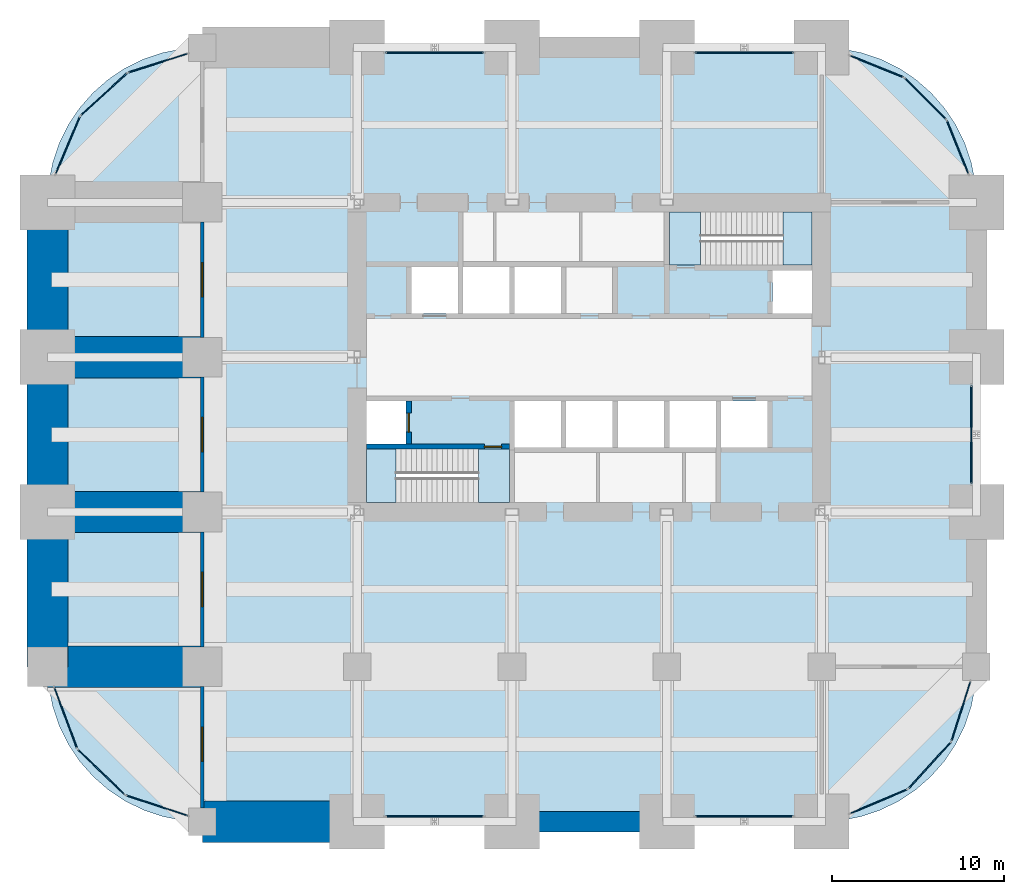
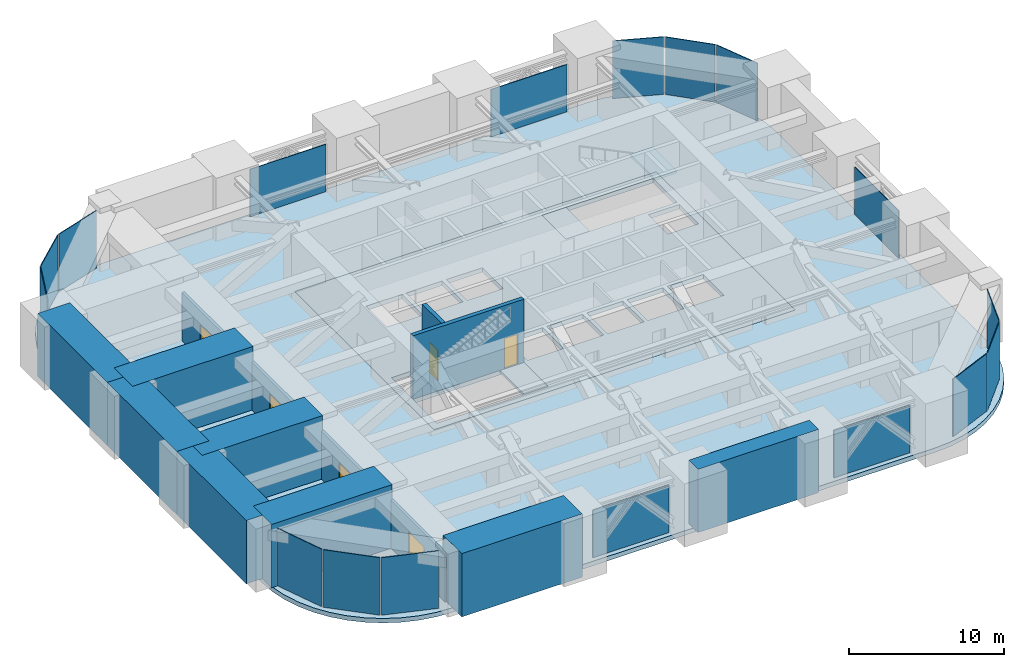
# One storey, part 29 of 32: 17 plates, 14 walls, 6 doors, 6 slabs, 6 openings, 19 elements without a shape of their own.
"""IFC4 building model written with IfcOpenShell, lengths in metres."""

from ifc_helpers import new_model, si_unit, direction, frame, frame_2d, origin, origin_2d, place, context, subcontext, project, spatial, polyline, rectangle, outline, extrude, material, layer, layer_set, type_object, element, fill, aggregate, save


model = new_model("IFC4")

# Units and contexts
model_context = context("Model", 3, precision=1e-05, world=origin(), true_north=direction((0.0, 1.0)))
body_context = subcontext(model_context, "Body", "Model", "MODEL_VIEW")
ifc_project = project(units=[si_unit("LENGTHUNIT", "METRE"), si_unit("AREAUNIT", "SQUARE_METRE"), si_unit("VOLUMEUNIT", "CUBIC_METRE"), si_unit("PLANEANGLEUNIT", "RADIAN"), si_unit("MASSUNIT", "GRAM", prefix="KILO")], contexts=[model_context])

# Site, building, storey
site_placement = place(None, origin())
site = spatial("IfcSite", under=ifc_project, at=site_placement, CompositionType="ELEMENT")
building_placement = place(site_placement, origin())
building = spatial("IfcBuilding", under=site, at=building_placement, Name="Zorevar Civic Tower", CompositionType="ELEMENT")
storey_placement = place(building_placement, frame((0.0, 0.0, 234.39990234375)))
storey = spatial("IfcBuildingStorey", under=building, at=storey_placement, Name="L57", CompositionType="ELEMENT", Elevation=234.39990234375)

# Curtain wall, plate
ifc_material_1 = material(Name="Black aluminium louvres", Category="aluminium")
curtain_wall_type = type_object("IfcCurtainWallType", Name="Louvred curtain wall CW6 refuge", PredefinedType="NOTDEFINED", material=ifc_material_1)
curtain_wall_1_placement = place(storey_placement, origin())
curtain_wall_1 = element("IfcCurtainWall", 1, at=curtain_wall_1_placement, inside=storey, type_object=curtain_wall_type, Name="CW6 L57", PredefinedType="NOTDEFINED")
ifc_material_2 = material(Name="Black aluminium louvre blades", Category="aluminium")
ifc_layer_1 = layer(ifc_material_2, 0.06005859375)
ifc_layer_set_1 = layer_set([ifc_layer_1], Name="CW6 panel 60")
plate_type = type_object("IfcPlateType", Name="CW6 panel 60", PredefinedType="CURTAIN_PANEL", material=ifc_layer_set_1)
plate_1_placement = place(storey_placement, frame((22.5, 0.300048828125, 0.06005859375), z_axis=(0.0, 0.0, 1.0), x_axis=(1.0, 0.0, 0.0)))
plate_1 = element("IfcPlate", 2, at=plate_1_placement, type_object=plate_type, Name="CW6 panel 1.1", PredefinedType="CURTAIN_PANEL", context=body_context, shape_type="SweptSolid", body=[
    extrude(rectangle(XDim=5.679931640625, YDim=0.06005859375, at=origin_2d()), origin(), (0.0, 0.0, 1.0), 3.739990234375),
])
aggregate(curtain_wall_1, [plate_1])

curtain_wall_2_placement = place(storey_placement, origin())
curtain_wall_2 = element("IfcCurtainWall", 3, at=curtain_wall_2_placement, inside=storey, type_object=curtain_wall_type, Name="CW6 L57", PredefinedType="NOTDEFINED")
plate_2_placement = place(storey_placement, frame((22.5, 44.699951171875, 0.06005859375), z_axis=(0.0, 0.0, 1.0), x_axis=(1.0, 0.0, 0.0)))
plate_2 = element("IfcPlate", 4, at=plate_2_placement, type_object=plate_type, Name="CW6 panel 1.1", PredefinedType="CURTAIN_PANEL", context=body_context, shape_type="SweptSolid", body=[
    extrude(rectangle(XDim=5.679931640625, YDim=0.06005859375, at=origin_2d()), origin(), (0.0, 0.0, 1.0), 3.739990234375),
])
aggregate(curtain_wall_2, [plate_2])

curtain_wall_3_placement = place(storey_placement, origin())
curtain_wall_3 = element("IfcCurtainWall", 5, at=curtain_wall_3_placement, inside=storey, type_object=curtain_wall_type, Name="CW6 L57", PredefinedType="NOTDEFINED")
plate_3_placement = place(storey_placement, frame((40.5, 0.300048828125, 0.06005859375), z_axis=(0.0, 0.0, 1.0), x_axis=(1.0, 0.0, 0.0)))
plate_3 = element("IfcPlate", 6, at=plate_3_placement, type_object=plate_type, Name="CW6 panel 1.1", PredefinedType="CURTAIN_PANEL", context=body_context, shape_type="SweptSolid", body=[
    extrude(rectangle(XDim=5.679931640625, YDim=0.06005859375, at=origin_2d()), origin(), (0.0, 0.0, 1.0), 3.739990234375),
])
aggregate(curtain_wall_3, [plate_3])

curtain_wall_4_placement = place(storey_placement, origin())
curtain_wall_4 = element("IfcCurtainWall", 7, at=curtain_wall_4_placement, inside=storey, type_object=curtain_wall_type, Name="CW6 L57", PredefinedType="NOTDEFINED")
plate_4_placement = place(storey_placement, frame((40.5, 44.699951171875, 0.06005859375), z_axis=(0.0, 0.0, 1.0), x_axis=(1.0, 0.0, 0.0)))
plate_4 = element("IfcPlate", 8, at=plate_4_placement, type_object=plate_type, Name="CW6 panel 1.1", PredefinedType="CURTAIN_PANEL", context=body_context, shape_type="SweptSolid", body=[
    extrude(rectangle(XDim=5.679931640625, YDim=0.06005859375, at=origin_2d()), origin(), (0.0, 0.0, 1.0), 3.739990234375),
])
aggregate(curtain_wall_4, [plate_4])

curtain_wall_5_placement = place(storey_placement, origin())
curtain_wall_5 = element("IfcCurtainWall", 9, at=curtain_wall_5_placement, inside=storey, type_object=curtain_wall_type, Name="CW6 L57", PredefinedType="NOTDEFINED")
plate_5_placement = place(storey_placement, frame((53.699951171875, 22.5, 0.06005859375), z_axis=(0.0, 0.0, 1.0), x_axis=(0.0, 1.0, 0.0)))
plate_5 = element("IfcPlate", 10, at=plate_5_placement, type_object=plate_type, Name="CW6 panel 1.1", PredefinedType="CURTAIN_PANEL", context=body_context, shape_type="SweptSolid", body=[
    extrude(rectangle(XDim=5.679931640625, YDim=0.06005859375, at=origin_2d()), origin(), (0.0, 0.0, 1.0), 3.739990234375),
])
aggregate(curtain_wall_5, [plate_5])

curtain_wall_6_placement = place(storey_placement, origin())
curtain_wall_6 = element("IfcCurtainWall", 11, at=curtain_wall_6_placement, inside=storey, type_object=curtain_wall_type, Name="CW6 L57", PredefinedType="NOTDEFINED")
plate_6_placement = place(storey_placement, frame((48.31396484375, 1.17431640625, 0.06005859375), z_axis=(0.0, 0.0, 1.0), x_axis=(0.920829589054, 0.389965213734, 0.0)))
plate_6 = element("IfcPlate", 12, at=plate_6_placement, type_object=plate_type, Name="CW6 panel 1.1", PredefinedType="CURTAIN_PANEL", context=body_context, shape_type="SweptSolid", body=[
    extrude(rectangle(XDim=3.602783203125, YDim=0.06005859375, at=origin_2d()), origin(), (0.0, 0.0, 1.0), 4.5400390625),
])
aggregate(curtain_wall_6, [plate_6])

curtain_wall_7_placement = place(storey_placement, origin())
curtain_wall_7 = element("IfcCurtainWall", 13, at=curtain_wall_7_placement, inside=storey, type_object=curtain_wall_type, Name="CW6 L57", PredefinedType="NOTDEFINED")
plate_7_placement = place(storey_placement, frame((51.28173828125, 3.276123046875, 0.06005859375), z_axis=(0.0, 0.0, 1.0), x_axis=(0.673532686252, 0.739157439623, 0.0)))
plate_7 = element("IfcPlate", 14, at=plate_7_placement, type_object=plate_type, Name="CW6 panel 1.1", PredefinedType="CURTAIN_PANEL", context=body_context, shape_type="SweptSolid", body=[
    extrude(rectangle(XDim=3.602783203125, YDim=0.06005859375, at=origin_2d()), origin(), (0.0, 0.0, 1.0), 4.5400390625),
])
aggregate(curtain_wall_7, [plate_7])

curtain_wall_8_placement = place(storey_placement, origin())
curtain_wall_8 = element("IfcCurtainWall", 15, at=curtain_wall_8_placement, inside=storey, type_object=curtain_wall_type, Name="CW6 L57", PredefinedType="NOTDEFINED")
plate_8_placement = place(storey_placement, frame((53.099365234375, 6.426025390625, 0.06005859375), z_axis=(0.0, 0.0, 1.0), x_axis=(0.302858738154, 0.953035458272, 0.0)))
plate_8 = element("IfcPlate", 16, at=plate_8_placement, type_object=plate_type, Name="CW6 panel 1.1", PredefinedType="CURTAIN_PANEL", context=body_context, shape_type="SweptSolid", body=[
    extrude(rectangle(XDim=3.602783203125, YDim=0.06005859375, at=origin_2d()), origin(), (0.0, 0.0, 1.0), 4.5400390625),
])
aggregate(curtain_wall_8, [plate_8])

curtain_wall_9_placement = place(storey_placement, origin())
curtain_wall_9 = element("IfcCurtainWall", 17, at=curtain_wall_9_placement, inside=storey, type_object=curtain_wall_type, Name="CW6 L57", PredefinedType="NOTDEFINED")
plate_9_placement = place(storey_placement, frame((52.90185546875, 39.202880859375, 0.06005859375), z_axis=(0.0, 0.0, 1.0), x_axis=(-0.375650166453, 0.926761540227, 0.0)))
plate_9 = element("IfcPlate", 18, at=plate_9_placement, type_object=plate_type, Name="CW6 panel 1.1", PredefinedType="CURTAIN_PANEL", context=body_context, shape_type="SweptSolid", body=[
    extrude(rectangle(XDim=3.33935546875, YDim=0.06005859375, at=origin_2d()), origin(), (0.0, 0.0, 1.0), 4.5400390625),
])
aggregate(curtain_wall_9, [plate_9])

curtain_wall_10_placement = place(storey_placement, origin())
curtain_wall_10 = element("IfcCurtainWall", 19, at=curtain_wall_10_placement, inside=storey, type_object=curtain_wall_type, Name="CW6 L57", PredefinedType="NOTDEFINED")
plate_10_placement = place(storey_placement, frame((51.029052734375, 42.029052734375, 0.06005859375), z_axis=(0.0, 0.0, 1.0), x_axis=(-0.707106781187, 0.707106781187, 0.0)))
plate_10 = element("IfcPlate", 20, at=plate_10_placement, type_object=plate_type, Name="CW6 panel 1.1", PredefinedType="CURTAIN_PANEL", context=body_context, shape_type="SweptSolid", body=[
    extrude(rectangle(XDim=3.33935546875, YDim=0.06005859375, at=origin_2d()), origin(), (0.0, 0.0, 1.0), 4.5400390625),
])
aggregate(curtain_wall_10, [plate_10])

curtain_wall_11_placement = place(storey_placement, origin())
curtain_wall_11 = element("IfcCurtainWall", 21, at=curtain_wall_11_placement, inside=storey, type_object=curtain_wall_type, Name="CW6 L57", PredefinedType="NOTDEFINED")
plate_11_placement = place(storey_placement, frame((48.202880859375, 43.90185546875, 0.06005859375), z_axis=(0.0, 0.0, 1.0), x_axis=(-0.926761540227, 0.375650166453, 0.0)))
plate_11 = element("IfcPlate", 22, at=plate_11_placement, type_object=plate_type, Name="CW6 panel 1.1", PredefinedType="CURTAIN_PANEL", context=body_context, shape_type="SweptSolid", body=[
    extrude(rectangle(XDim=3.33935546875, YDim=0.06005859375, at=origin_2d()), origin(), (0.0, 0.0, 1.0), 4.5400390625),
])
aggregate(curtain_wall_11, [plate_11])

curtain_wall_12_placement = place(storey_placement, origin())
curtain_wall_12 = element("IfcCurtainWall", 23, at=curtain_wall_12_placement, inside=storey, type_object=curtain_wall_type, Name="CW6 L57", PredefinedType="NOTDEFINED")
plate_12_placement = place(storey_placement, frame((6.426025390625, 44.099365234375, 0.06005859375), z_axis=(0.0, 0.0, 1.0), x_axis=(-0.953035458272, -0.302858738154, 0.0)))
plate_12 = element("IfcPlate", 24, at=plate_12_placement, type_object=plate_type, Name="CW6 panel 1.1", PredefinedType="CURTAIN_PANEL", context=body_context, shape_type="SweptSolid", body=[
    extrude(rectangle(XDim=3.602783203125, YDim=0.06005859375, at=origin_2d()), origin(), (0.0, 0.0, 1.0), 4.5400390625),
])
aggregate(curtain_wall_12, [plate_12])

curtain_wall_13_placement = place(storey_placement, origin())
curtain_wall_13 = element("IfcCurtainWall", 25, at=curtain_wall_13_placement, inside=storey, type_object=curtain_wall_type, Name="CW6 L57", PredefinedType="NOTDEFINED")
plate_13_placement = place(storey_placement, frame((3.276123046875, 42.28173828125, 0.06005859375), z_axis=(0.0, 0.0, 1.0), x_axis=(-0.739157439623, -0.673532686252, 0.0)))
plate_13 = element("IfcPlate", 26, at=plate_13_placement, type_object=plate_type, Name="CW6 panel 1.1", PredefinedType="CURTAIN_PANEL", context=body_context, shape_type="SweptSolid", body=[
    extrude(rectangle(XDim=3.602783203125, YDim=0.06005859375, at=origin_2d()), origin(), (0.0, 0.0, 1.0), 4.5400390625),
])
aggregate(curtain_wall_13, [plate_13])

curtain_wall_14_placement = place(storey_placement, origin())
curtain_wall_14 = element("IfcCurtainWall", 27, at=curtain_wall_14_placement, inside=storey, type_object=curtain_wall_type, Name="CW6 L57", PredefinedType="NOTDEFINED")
plate_14_placement = place(storey_placement, frame((1.17431640625, 39.31396484375, 0.06005859375), z_axis=(0.0, 0.0, 1.0), x_axis=(-0.389965213734, -0.920829589054, 0.0)))
plate_14 = element("IfcPlate", 28, at=plate_14_placement, type_object=plate_type, Name="CW6 panel 1.1", PredefinedType="CURTAIN_PANEL", context=body_context, shape_type="SweptSolid", body=[
    extrude(rectangle(XDim=3.602783203125, YDim=0.06005859375, at=origin_2d()), origin(), (0.0, 0.0, 1.0), 4.5400390625),
])
aggregate(curtain_wall_14, [plate_14])

curtain_wall_15_placement = place(storey_placement, origin())
curtain_wall_15 = element("IfcCurtainWall", 29, at=curtain_wall_15_placement, inside=storey, type_object=curtain_wall_type, Name="CW6 L57", PredefinedType="NOTDEFINED")
plate_15_placement = place(storey_placement, frame((1.052734375, 6.036376953125, 0.06005859375), z_axis=(0.0, 0.0, 1.0), x_axis=(0.349405059046, -0.936971773701, 0.0)))
plate_15 = element("IfcPlate", 30, at=plate_15_placement, type_object=plate_type, Name="CW6 panel 1.1", PredefinedType="CURTAIN_PANEL", context=body_context, shape_type="SweptSolid", body=[
    extrude(rectangle(XDim=3.751220703125, YDim=0.06005859375, at=origin_2d()), origin(), (0.0, 0.0, 1.0), 4.5400390625),
])
aggregate(curtain_wall_15, [plate_15])

curtain_wall_16_placement = place(storey_placement, origin())
curtain_wall_16 = element("IfcCurtainWall", 31, at=curtain_wall_16_placement, inside=storey, type_object=curtain_wall_type, Name="CW6 L57", PredefinedType="NOTDEFINED")
plate_16_placement = place(storey_placement, frame((3.125, 2.882080078125, 0.06005859375), z_axis=(0.0, 0.0, 1.0), x_axis=(0.721263453553, -0.69266083372, 0.0)))
plate_16 = element("IfcPlate", 32, at=plate_16_placement, type_object=plate_type, Name="CW6 panel 1.1", PredefinedType="CURTAIN_PANEL", context=body_context, shape_type="SweptSolid", body=[
    extrude(rectangle(XDim=3.751220703125, YDim=0.06005859375, at=origin_2d()), origin(), (0.0, 0.0, 1.0), 4.5400390625),
])
aggregate(curtain_wall_16, [plate_16])

curtain_wall_17_placement = place(storey_placement, origin())
curtain_wall_17 = element("IfcCurtainWall", 33, at=curtain_wall_17_placement, inside=storey, type_object=curtain_wall_type, Name="CW6 L57", PredefinedType="NOTDEFINED")
plate_17_placement = place(storey_placement, frame((6.360595703125, 0.939208984375, 0.06005859375), z_axis=(0.0, 0.0, 1.0), x_axis=(0.9503544928, -0.311169307637, 0.0)))
plate_17 = element("IfcPlate", 34, at=plate_17_placement, type_object=plate_type, Name="CW6 panel 1.1", PredefinedType="CURTAIN_PANEL", context=body_context, shape_type="SweptSolid", body=[
    extrude(rectangle(XDim=3.751220703125, YDim=0.06005859375, at=origin_2d()), origin(), (0.0, 0.0, 1.0), 4.5400390625),
])
aggregate(curtain_wall_17, [plate_17])

# Slabs
ifc_material_3 = material(Name="Concrete C40/50", Category="concrete")
ifc_layer_2 = layer(ifc_material_3, 0.35009765625)
ifc_layer_set_2 = layer_set([ifc_layer_2], Name="Floor slab 350")
slab_type_1 = type_object("IfcSlabType", Name="Floor slab 350", PredefinedType="FLOOR", material=ifc_layer_set_2)
slab_1_placement = place(storey_placement, frame((0.0, 0.0, -0.349853515625)))
element("IfcSlab", 35, at=slab_1_placement, inside=storey, type_object=slab_type_1, Name="Floor slab L57", PredefinedType="FLOOR", context=body_context, shape_type="SweptSolid", body=[
    extrude(outline(polyline([(45.0, 0.0), (46.1748046875, 0.076904296875), (47.329345703125, 0.306640625), (48.444091796875, 0.68505859375), (49.5, 1.205810546875), (50.478759765625, 1.85986328125), (51.364013671875, 2.635986328125), (52.14013671875, 3.521240234375), (52.794189453125, 4.5), (53.31494140625, 5.555908203125), (53.693359375, 6.670654296875), (53.923095703125, 7.8251953125), (54.0, 9.0), (54.0, 36.0), (53.923095703125, 37.1748046875), (53.693359375, 38.329345703125), (53.31494140625, 39.444091796875), (52.794189453125, 40.5), (52.14013671875, 41.478759765625), (51.364013671875, 42.364013671875), (50.478759765625, 43.14013671875), (49.5, 43.794189453125), (48.444091796875, 44.31494140625), (47.329345703125, 44.693359375), (46.1748046875, 44.923095703125), (45.0, 45.0), (9.0, 45.0), (7.8251953125, 44.923095703125), (6.670654296875, 44.693359375), (5.555908203125, 44.31494140625), (4.5, 43.794189453125), (3.521240234375, 43.14013671875), (2.635986328125, 42.364013671875), (1.85986328125, 41.478759765625), (1.205810546875, 40.5), (0.68505859375, 39.444091796875), (0.306640625, 38.329345703125), (0.076904296875, 37.1748046875), (0.0, 36.0), (0.0, 9.0), (0.076904296875, 7.8251953125), (0.306640625, 6.670654296875), (0.68505859375, 5.555908203125), (1.205810546875, 4.5), (1.85986328125, 3.521240234375), (2.635986328125, 2.635986328125), (3.521240234375, 1.85986328125), (4.5, 1.205810546875), (5.555908203125, 0.68505859375), (6.670654296875, 0.306640625), (7.8251953125, 0.076904296875), (9.0, 0.0), (45.0, 0.0)]), holes=[polyline([(18.0, 18.0), (45.0, 18.0), (45.0, 36.0), (18.0, 36.0), (18.0, 18.0)])]), origin(), (0.0, 0.0, 1.0), 0.349853515625),
])
slab_2_placement = place(storey_placement, frame((0.0, 0.0, -0.349853515625)))
element("IfcSlab", 36, at=slab_2_placement, inside=storey, type_object=slab_type_1, Name="Core floor L57", PredefinedType="FLOOR", context=body_context, shape_type="SweptSolid", body=[
    extrude(outline(polyline([(18.0, 18.0), (45.0, 18.0), (45.0, 36.0), (18.0, 36.0), (18.0, 18.0)]), holes=[polyline([(18.550048828125, 18.550048828125), (26.85009765625, 18.550048828125), (26.85009765625, 21.64990234375), (18.550048828125, 21.64990234375), (18.550048828125, 18.550048828125)]), polyline([(36.14990234375, 32.35009765625), (44.449951171875, 32.35009765625), (44.449951171875, 35.449951171875), (36.14990234375, 35.449951171875), (36.14990234375, 32.35009765625)]), polyline([(18.550048828125, 21.949951171875), (20.85009765625, 21.949951171875), (20.85009765625, 24.449951171875), (18.550048828125, 24.449951171875), (18.550048828125, 21.949951171875)]), polyline([(42.14990234375, 29.550048828125), (44.449951171875, 29.550048828125), (44.449951171875, 32.050048828125), (42.14990234375, 32.050048828125), (42.14990234375, 29.550048828125)]), polyline([(27.14990234375, 21.75), (29.85009765625, 21.75), (29.85009765625, 24.449951171875), (27.14990234375, 24.449951171875), (27.14990234375, 21.75)]), polyline([(30.14990234375, 21.75), (32.85009765625, 21.75), (32.85009765625, 24.449951171875), (30.14990234375, 24.449951171875), (30.14990234375, 21.75)]), polyline([(33.14990234375, 21.75), (35.85009765625, 21.75), (35.85009765625, 24.449951171875), (33.14990234375, 24.449951171875), (33.14990234375, 21.75)]), polyline([(27.14990234375, 29.550048828125), (29.85009765625, 29.550048828125), (29.85009765625, 32.25), (27.14990234375, 32.25), (27.14990234375, 29.550048828125)]), polyline([(36.14990234375, 21.75), (38.85009765625, 21.75), (38.85009765625, 24.449951171875), (36.14990234375, 24.449951171875), (36.14990234375, 21.75)]), polyline([(24.14990234375, 29.550048828125), (26.85009765625, 29.550048828125), (26.85009765625, 32.25), (24.14990234375, 32.25), (24.14990234375, 29.550048828125)]), polyline([(39.14990234375, 21.75), (41.85009765625, 21.75), (41.85009765625, 24.449951171875), (39.14990234375, 24.449951171875), (39.14990234375, 21.75)]), polyline([(21.14990234375, 29.550048828125), (23.85009765625, 29.550048828125), (23.85009765625, 32.25), (21.14990234375, 32.25), (21.14990234375, 29.550048828125)])]), origin(), (0.0, 0.0, 1.0), 0.349853515625),
])

# Stair, slabs
ifc_material_4 = material(Name="Precast concrete C40/50", Category="concrete")
stair_type = type_object("IfcStairType", Name="Stair ST 34R", PredefinedType="HALF_TURN_STAIR", material=ifc_material_4)
stair_1_placement = place(storey_placement, origin())
stair_1 = element("IfcStair", 37, at=stair_1_placement, inside=storey, type_object=stair_type, Name="Stair ST1 L57", PredefinedType="HALF_TURN_STAIR")
ifc_material_5 = material(Name="Concrete C40/50", Category="concrete")
ifc_layer_3 = layer(ifc_material_5, 0.199951171875)
ifc_layer_set_3 = layer_set([ifc_layer_3], Name="Stair landing 200")
slab_type_2 = type_object("IfcSlabType", Name="Stair landing 200", PredefinedType="LANDING", material=ifc_layer_set_3)
slab_3_placement = place(storey_placement, frame((0.0, 0.0, -0.199951171875)))
slab_3 = element("IfcSlab", 38, at=slab_3_placement, type_object=slab_type_2, Name="ST1 landing 1", PredefinedType="LANDING", context=body_context, shape_type="SweptSolid", body=[
    extrude(outline(polyline([(25.050048828125, 18.550048828125), (26.85009765625, 18.550048828125), (26.85009765625, 21.64990234375), (25.050048828125, 21.64990234375), (25.050048828125, 18.550048828125)])), origin(), (0.0, 0.0, 1.0), 0.199951171875),
])
slab_4_placement = place(storey_placement, frame((0.0, 0.0, 2.300048828125)))
slab_4 = element("IfcSlab", 39, at=slab_4_placement, type_object=slab_type_2, Name="ST1 landing 2", PredefinedType="LANDING", context=body_context, shape_type="SweptSolid", body=[
    extrude(outline(polyline([(18.550048828125, 18.550048828125), (20.25, 18.550048828125), (20.25, 21.64990234375), (18.550048828125, 21.64990234375), (18.550048828125, 18.550048828125)])), origin(), (0.0, 0.0, 1.0), 0.199951171875),
])
aggregate(stair_1, [slab_3, slab_4])

stair_2_placement = place(storey_placement, origin())
stair_2 = element("IfcStair", 40, at=stair_2_placement, inside=storey, type_object=stair_type, Name="Stair ST2 L57", PredefinedType="HALF_TURN_STAIR")
slab_5_placement = place(storey_placement, frame((0.0, 0.0, -0.199951171875)))
slab_5 = element("IfcSlab", 41, at=slab_5_placement, type_object=slab_type_2, Name="ST2 landing 1", PredefinedType="LANDING", context=body_context, shape_type="SweptSolid", body=[
    extrude(outline(polyline([(37.949951171875, 32.35009765625), (36.14990234375, 32.35009765625), (36.14990234375, 35.449951171875), (37.949951171875, 35.449951171875), (37.949951171875, 32.35009765625)])), origin(), (0.0, 0.0, 1.0), 0.199951171875),
])
slab_6_placement = place(storey_placement, frame((0.0, 0.0, 2.300048828125)))
slab_6 = element("IfcSlab", 42, at=slab_6_placement, type_object=slab_type_2, Name="ST2 landing 2", PredefinedType="LANDING", context=body_context, shape_type="SweptSolid", body=[
    extrude(outline(polyline([(44.449951171875, 32.35009765625), (42.75, 32.35009765625), (42.75, 35.449951171875), (44.449951171875, 35.449951171875), (44.449951171875, 32.35009765625)])), origin(), (0.0, 0.0, 1.0), 0.199951171875),
])
aggregate(stair_2, [slab_5, slab_6])

# Wall
ifc_material_6 = material(Name="Concrete C50/60", Category="concrete")
ifc_layer_4 = layer(ifc_material_6, 1.199951171875)
ifc_layer_set_4 = layer_set([ifc_layer_4], Name="Belt wall 1200")
wall_type_1 = type_object("IfcWallType", Name="Belt wall 1200", PredefinedType="SHEAR", material=ifc_layer_set_4)
wall_1_placement = place(storey_placement, frame((27.0, 0.0, 0.0), z_axis=(0.0, 0.0, 1.0), x_axis=(1.0, 0.0, 0.0)))
element("IfcWall", 43, at=wall_1_placement, inside=storey, type_object=wall_type_1, Name="Belt wall S L57", PredefinedType="SHEAR", context=body_context, shape_type="SweptSolid", body=[
    extrude(rectangle(XDim=9.0, YDim=1.199951171875, at=frame_2d((4.5, 0.0))), origin(), (0.0, 0.0, 1.0), 5.0),
])

# Wall, opening, door
ifc_material_7 = material(Name="Concrete blockwork", Category="masonry")
ifc_layer_5 = layer(ifc_material_7, 0.199951171875)
ifc_layer_set_5 = layer_set([ifc_layer_5], Name="Blockwork wall 200")
wall_type_2 = type_object("IfcWallType", Name="Blockwork wall 200", PredefinedType="SOLIDWALL", material=ifc_layer_set_5)
wall_2_placement = place(storey_placement, frame((9.0, 0.800048828125, 0.0), z_axis=(0.0, 0.0, 1.0), x_axis=(0.0, 1.0, 0.0)))
wall_2 = element("IfcWall", 44, at=wall_2_placement, inside=storey, type_object=wall_type_2, Name="Blockwork wall 200 L57", PredefinedType="SOLIDWALL", context=body_context, shape_type="SweptSolid", body=[
    extrude(rectangle(XDim=7.050048828125, YDim=0.199951171875, at=frame_2d((3.52490234375, 0.0))), origin(), (0.0, 0.0, 1.0), 3.800048828125),
])
opening_1_placement = place(wall_2_placement, frame((2.699951171875, 0.0, 0.0)))
opening_1 = element("IfcOpeningElement", 45, at=opening_1_placement, cuts=wall_2, Name="Opening L57.17", PredefinedType="OPENING", context=body_context, shape_type="SweptSolid", body=[
    extrude(rectangle(XDim=2.0, YDim=2.699951171875, at=frame_2d((1.0, 1.35009765625))), frame((0.0, 0.10986328125, 0.0), z_axis=(0.0, -1.0, 0.0), x_axis=(1.0, 0.0, 0.0)), (0.0, 0.0, 1.0), 0.219970703125),
])
ifc_material_8 = material(Name="Steel door set", Category="steel")
door_type_1 = type_object("IfcDoorType", Name="Plant room door PD1 2000x2700", OperationType="DOUBLE_DOOR_SINGLE_SWING", PredefinedType="DOOR", material=ifc_material_8)
door_1_placement = place(opening_1_placement, origin())
door_1 = element("IfcDoor", 46, at=door_1_placement, inside=storey, type_object=door_type_1, Name="Door L57 D00", OperationType="DOUBLE_DOOR_SINGLE_SWING", OverallHeight=2.699951171875, OverallWidth=2.0, PredefinedType="DOOR", context=body_context, shape_type="SweptSolid", body=[
    extrude(rectangle(XDim=2.0, YDim=2.699951171875, at=frame_2d((1.0, 1.35009765625))), frame((0.0, 0.030029296875, 0.0), z_axis=(0.0, -1.0, 0.0), x_axis=(1.0, 0.0, 0.0)), (0.0, 0.0, 1.0), 0.06005859375),
])
fill(opening_1, door_1)

wall_3_placement = place(storey_placement, frame((9.0, 10.14990234375, 0.0), z_axis=(0.0, 0.0, 1.0), x_axis=(0.0, 1.0, 0.0)))
wall_3 = element("IfcWall", 47, at=wall_3_placement, inside=storey, type_object=wall_type_2, Name="Blockwork wall 200 L57", PredefinedType="SOLIDWALL", context=body_context, shape_type="SweptSolid", body=[
    extrude(rectangle(XDim=6.7001953125, YDim=0.199951171875, at=frame_2d((3.35009765625, 0.0))), origin(), (0.0, 0.0, 1.0), 3.800048828125),
])
opening_2_placement = place(wall_3_placement, frame((2.35009765625, 0.0, 0.0)))
opening_2 = element("IfcOpeningElement", 48, at=opening_2_placement, cuts=wall_3, Name="Opening L57.18", PredefinedType="OPENING", context=body_context, shape_type="SweptSolid", body=[
    extrude(rectangle(XDim=2.0, YDim=2.699951171875, at=frame_2d((1.0, 1.35009765625))), frame((0.0, 0.10986328125, 0.0), z_axis=(0.0, -1.0, 0.0), x_axis=(1.0, 0.0, 0.0)), (0.0, 0.0, 1.0), 0.219970703125),
])
door_2_placement = place(opening_2_placement, origin())
door_2 = element("IfcDoor", 49, at=door_2_placement, inside=storey, type_object=door_type_1, Name="Door L57 D01", OperationType="DOUBLE_DOOR_SINGLE_SWING", OverallHeight=2.699951171875, OverallWidth=2.0, PredefinedType="DOOR", context=body_context, shape_type="SweptSolid", body=[
    extrude(rectangle(XDim=2.0, YDim=2.699951171875, at=frame_2d((1.0, 1.35009765625))), frame((0.0, 0.030029296875, 0.0), z_axis=(0.0, -1.0, 0.0), x_axis=(1.0, 0.0, 0.0)), (0.0, 0.0, 1.0), 0.06005859375),
])
fill(opening_2, door_2)

wall_4_placement = place(storey_placement, frame((9.0, 19.14990234375, 0.0), z_axis=(0.0, 0.0, 1.0), x_axis=(0.0, 1.0, 0.0)))
wall_4 = element("IfcWall", 50, at=wall_4_placement, inside=storey, type_object=wall_type_2, Name="Blockwork wall 200 L57", PredefinedType="SOLIDWALL", context=body_context, shape_type="SweptSolid", body=[
    extrude(rectangle(XDim=6.7001953125, YDim=0.199951171875, at=frame_2d((3.35009765625, 0.0))), origin(), (0.0, 0.0, 1.0), 3.800048828125),
])
opening_3_placement = place(wall_4_placement, frame((2.35009765625, 0.0, 0.0)))
opening_3 = element("IfcOpeningElement", 51, at=opening_3_placement, cuts=wall_4, Name="Opening L57.19", PredefinedType="OPENING", context=body_context, shape_type="SweptSolid", body=[
    extrude(rectangle(XDim=2.0, YDim=2.699951171875, at=frame_2d((1.0, 1.35009765625))), frame((0.0, 0.10986328125, 0.0), z_axis=(0.0, -1.0, 0.0), x_axis=(1.0, 0.0, 0.0)), (0.0, 0.0, 1.0), 0.219970703125),
])
door_3_placement = place(opening_3_placement, origin())
door_3 = element("IfcDoor", 52, at=door_3_placement, inside=storey, type_object=door_type_1, Name="Door L57 D02", OperationType="DOUBLE_DOOR_SINGLE_SWING", OverallHeight=2.699951171875, OverallWidth=2.0, PredefinedType="DOOR", context=body_context, shape_type="SweptSolid", body=[
    extrude(rectangle(XDim=2.0, YDim=2.699951171875, at=frame_2d((1.0, 1.35009765625))), frame((0.0, 0.030029296875, 0.0), z_axis=(0.0, -1.0, 0.0), x_axis=(1.0, 0.0, 0.0)), (0.0, 0.0, 1.0), 0.06005859375),
])
fill(opening_3, door_3)

wall_5_placement = place(storey_placement, frame((9.0, 28.14990234375, 0.0), z_axis=(0.0, 0.0, 1.0), x_axis=(0.0, 1.0, 0.0)))
wall_5 = element("IfcWall", 53, at=wall_5_placement, inside=storey, type_object=wall_type_2, Name="Blockwork wall 200 L57", PredefinedType="SOLIDWALL", context=body_context, shape_type="SweptSolid", body=[
    extrude(rectangle(XDim=6.7001953125, YDim=0.199951171875, at=frame_2d((3.35009765625, 0.0))), origin(), (0.0, 0.0, 1.0), 3.800048828125),
])
opening_4_placement = place(wall_5_placement, frame((2.35009765625, 0.0, 0.0)))
opening_4 = element("IfcOpeningElement", 54, at=opening_4_placement, cuts=wall_5, Name="Opening L57.20", PredefinedType="OPENING", context=body_context, shape_type="SweptSolid", body=[
    extrude(rectangle(XDim=2.0, YDim=2.699951171875, at=frame_2d((1.0, 1.35009765625))), frame((0.0, 0.10986328125, 0.0), z_axis=(0.0, -1.0, 0.0), x_axis=(1.0, 0.0, 0.0)), (0.0, 0.0, 1.0), 0.219970703125),
])
door_4_placement = place(opening_4_placement, origin())
door_4 = element("IfcDoor", 55, at=door_4_placement, inside=storey, type_object=door_type_1, Name="Door L57 D03", OperationType="DOUBLE_DOOR_SINGLE_SWING", OverallHeight=2.699951171875, OverallWidth=2.0, PredefinedType="DOOR", context=body_context, shape_type="SweptSolid", body=[
    extrude(rectangle(XDim=2.0, YDim=2.699951171875, at=frame_2d((1.0, 1.35009765625))), frame((0.0, 0.030029296875, 0.0), z_axis=(0.0, -1.0, 0.0), x_axis=(1.0, 0.0, 0.0)), (0.0, 0.0, 1.0), 0.06005859375),
])
fill(opening_4, door_4)

ifc_material_9 = material(Name="Concrete C40/50", Category="concrete")
ifc_layer_6 = layer(ifc_material_9, 0.300048828125)
ifc_layer_set_6 = layer_set([ifc_layer_6], Name="Inner core wall 300")
wall_type_3 = type_object("IfcWallType", Name="Inner core wall 300", PredefinedType="SHEAR", material=ifc_layer_set_6)
wall_6_placement = place(storey_placement, frame((18.550048828125, 21.800048828125, 0.0), z_axis=(0.0, 0.0, 1.0), x_axis=(1.0, 0.0, 0.0)))
wall_6 = element("IfcWall", 56, at=wall_6_placement, inside=storey, type_object=wall_type_3, Name="Inner core wall S00 L57", PredefinedType="SHEAR", context=body_context, shape_type="SweptSolid", body=[
    extrude(rectangle(XDim=8.300048828125, YDim=0.300048828125, at=frame_2d((4.14990234375, 0.0))), origin(), (0.0, 0.0, 1.0), 5.0),
])
opening_5_placement = place(wall_6_placement, frame((6.85009765625, 0.0, 0.0)))
opening_5 = element("IfcOpeningElement", 57, at=opening_5_placement, cuts=wall_6, Name="Opening L57.11", PredefinedType="OPENING", context=body_context, shape_type="SweptSolid", body=[
    extrude(rectangle(XDim=1.0, YDim=2.39990234375, at=frame_2d((0.5, 1.199951171875))), frame((0.0, 0.159912109375, 0.0), z_axis=(0.0, -1.0, 0.0), x_axis=(1.0, 0.0, 0.0)), (0.0, 0.0, 1.0), 0.320068359375),
])
ifc_material_10 = material(Name="Steel door set", Category="steel")
door_type_2 = type_object("IfcDoorType", Name="Fire door FD1 1000x2400", OperationType="SINGLE_SWING_LEFT", PredefinedType="DOOR", material=ifc_material_10)
door_5_placement = place(opening_5_placement, origin())
door_5 = element("IfcDoor", 58, at=door_5_placement, inside=storey, type_object=door_type_2, Name="Door L57 10", OperationType="SINGLE_SWING_RIGHT", OverallHeight=2.39990234375, OverallWidth=1.0, PredefinedType="DOOR", context=body_context, shape_type="SweptSolid", body=[
    extrude(rectangle(XDim=1.0, YDim=2.39990234375, at=frame_2d((0.5, 1.199951171875))), frame((0.0, 0.030029296875, 0.0), z_axis=(0.0, -1.0, 0.0), x_axis=(1.0, 0.0, 0.0)), (0.0, 0.0, 1.0), 0.06005859375),
])
fill(opening_5, door_5)

wall_7_placement = place(storey_placement, frame((21.0, 21.949951171875, 0.0), z_axis=(0.0, 0.0, 1.0), x_axis=(0.0, 1.0, 0.0)))
wall_7 = element("IfcWall", 59, at=wall_7_placement, inside=storey, type_object=wall_type_3, Name="Inner core wall S02 L57", PredefinedType="SHEAR", context=body_context, shape_type="SweptSolid", body=[
    extrude(rectangle(XDim=2.5, YDim=0.300048828125, at=frame_2d((1.25, 0.0))), origin(), (0.0, 0.0, 1.0), 5.0),
])
opening_6_placement = place(wall_7_placement, frame((0.699951171875, 0.0, 0.0)))
opening_6 = element("IfcOpeningElement", 60, at=opening_6_placement, cuts=wall_7, Name="Opening L57.FL1", PredefinedType="OPENING", context=body_context, shape_type="SweptSolid", body=[
    extrude(rectangle(XDim=1.10009765625, YDim=2.39990234375, at=frame_2d((0.550048828125, 1.199951171875))), frame((0.0, 0.159912109375, 0.0), z_axis=(0.0, -1.0, 0.0), x_axis=(1.0, 0.0, 0.0)), (0.0, 0.0, 1.0), 0.320068359375),
])
ifc_material_11 = material(Name="Steel door set", Category="steel")
door_type_3 = type_object("IfcDoorType", Name="Firefighting lift landing door LD3 1100x2400", OperationType="DOUBLE_DOOR_SLIDING", PredefinedType="DOOR", material=ifc_material_11)
door_6_placement = place(opening_6_placement, origin())
door_6 = element("IfcDoor", 61, at=door_6_placement, inside=storey, type_object=door_type_3, Name="Landing door FL1 L57", OperationType="DOUBLE_DOOR_SLIDING", OverallHeight=2.39990234375, OverallWidth=1.10009765625, PredefinedType="DOOR", context=body_context, shape_type="SweptSolid", body=[
    extrude(rectangle(XDim=1.10009765625, YDim=2.39990234375, at=frame_2d((0.550048828125, 1.199951171875))), frame((0.0, 0.030029296875, 0.0), z_axis=(0.0, -1.0, 0.0), x_axis=(1.0, 0.0, 0.0)), (0.0, 0.0, 1.0), 0.06005859375),
])
fill(opening_6, door_6)

# Walls
ifc_material_12 = material(Name="Concrete C50/60", Category="concrete")
ifc_layer_7 = layer(ifc_material_12, 2.39990234375)
ifc_layer_set_7 = layer_set([ifc_layer_7], Name="Setback tie wall 2400")
wall_type_4 = type_object("IfcWallType", Name="Setback tie wall 2400", PredefinedType="SHEAR", material=ifc_layer_set_7)
for number, where, z_axis, x_axis, name in (
    (62, (9.0, 0.0, 0.0), (0.0, 0.0, 1.0), (1.0, 0.0, 0.0), "Setback belt wall S L57"),
    (63, (0.0, 9.0, 0.0), (0.0, 0.0, 1.0), (0.0, 1.0, 0.0), "Setback belt wall W L57"),
    (64, (0.0, 18.0, 0.0), (0.0, 0.0, 1.0), (0.0, 1.0, 0.0), "Setback belt wall W L57"),
    (65, (0.0, 27.0, 0.0), (0.0, 0.0, 1.0), (0.0, 1.0, 0.0), "Setback belt wall W L57"),
    (66, (9.0, 9.0, 0.0), (0.0, 0.0, 1.0), (-1.0, 0.0, 0.0), "Setback tie wall L57"),
    (67, (9.0, 18.0, 0.0), (0.0, 0.0, 1.0), (-1.0, 0.0, 0.0), "Setback tie wall L57"),
    (68, (9.0, 27.0, 0.0), (0.0, 0.0, 1.0), (-1.0, 0.0, 0.0), "Setback tie wall L57"),
):
    element("IfcWall", number, at=place(storey_placement, frame(where, z_axis=z_axis, x_axis=x_axis)), inside=storey, type_object=wall_type_4, Name=name, PredefinedType="SHEAR", context=body_context, shape_type="SweptSolid", body=[
        extrude(rectangle(XDim=9.0, YDim=2.39990234375, at=frame_2d((4.5, 0.0))), origin(), (0.0, 0.0, 1.0), 5.0),
    ])

save(model, "model.ifc")
